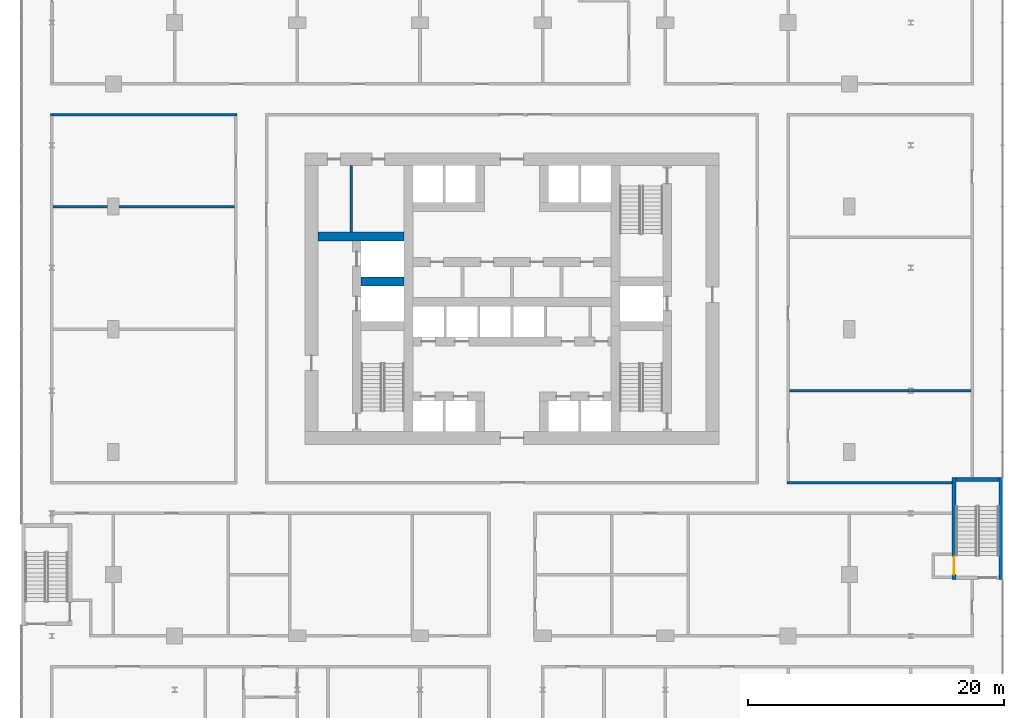
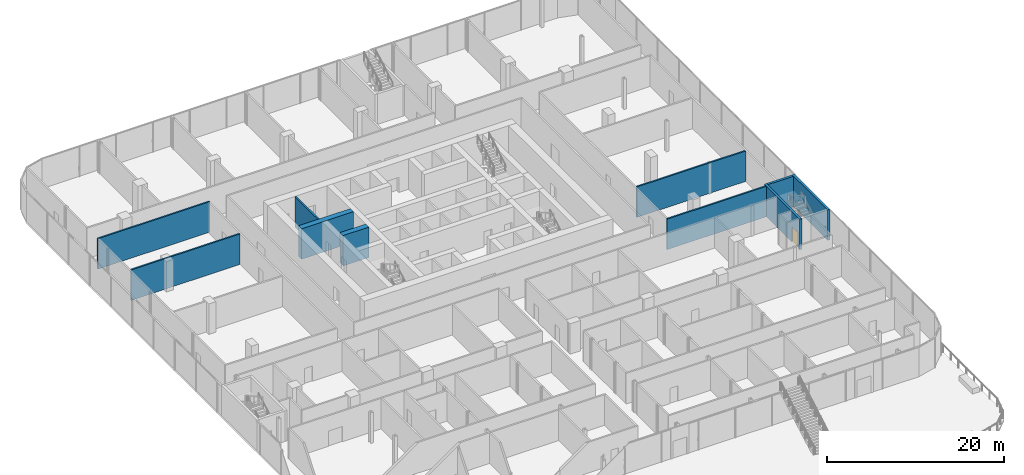
# One storey, part 33 of 43: 10 walls, 1 door, 1 opening.
"""IFC4 building model written with IfcOpenShell, lengths in metres."""

from ifc_helpers import new_model, si_unit, direction, frame, frame_2d, origin, place, context, subcontext, project, spatial, rectangle, extrude, material, layer, layer_set, type_object, element, fill, save


model = new_model("IFC4")

# Units and contexts
model_context = context("Model", 3, precision=1e-05, world=origin(), true_north=direction((0.0, 1.0)))
body_context = subcontext(model_context, "Body", "Model", "MODEL_VIEW")
ifc_project = project(units=[si_unit("LENGTHUNIT", "METRE"), si_unit("AREAUNIT", "SQUARE_METRE"), si_unit("VOLUMEUNIT", "CUBIC_METRE"), si_unit("PLANEANGLEUNIT", "RADIAN"), si_unit("MASSUNIT", "GRAM", prefix="KILO")], contexts=[model_context])

# Site, building, storey
site_placement = place(None, origin())
site = spatial("IfcSite", under=ifc_project, at=site_placement, CompositionType="ELEMENT")
building_placement = place(site_placement, origin())
building = spatial("IfcBuilding", under=site, at=building_placement, Name="Madar Terraces", CompositionType="ELEMENT")
storey_placement = place(building_placement, frame((0.0, 0.0, 10.5)))
storey = spatial("IfcBuildingStorey", under=building, at=storey_placement, Name="L02", CompositionType="ELEMENT", Elevation=10.5)

# Walls
ifc_material_1 = material(Name="Concrete C80/95", Category="concrete")
ifc_layer_1 = layer(ifc_material_1, 0.699951171875)
ifc_layer_set_1 = layer_set([ifc_layer_1], Name="Concrete C80/95 (CIW1 RC wall 700)")
wall_type_1 = type_object("IfcWallType", Name="CIW1 RC wall 700", PredefinedType="SHEAR", material=ifc_layer_set_1)
wall_1_placement = place(storey_placement, frame((19.39990234375, 27.75, 0.0), z_axis=(0.0, 0.0, 1.0), x_axis=(1.0, 0.0, 0.0)))
element("IfcWall", 1, at=wall_1_placement, inside=storey, type_object=wall_type_1, Name="CORE SHAFT WALL", PredefinedType="SHEAR", context=body_context, shape_type="SweptSolid", body=[
    extrude(rectangle(XDim=3.35009765625, YDim=0.699951171875, at=frame_2d((1.675048828125, 0.0))), origin(), (0.0, 0.0, 1.0), 4.199951171875),
])
wall_2_placement = place(storey_placement, frame((16.0, 31.25, 0.0), z_axis=(0.0, 0.0, 1.0), x_axis=(1.0, 0.0, 0.0)))
element("IfcWall", 2, at=wall_2_placement, inside=storey, type_object=wall_type_1, Name="CORE SHAFT WALL", PredefinedType="SHEAR", context=body_context, shape_type="SweptSolid", body=[
    extrude(rectangle(XDim=6.75, YDim=0.699951171875, at=frame_2d((3.375, 0.0))), origin(), (0.0, 0.0, 1.0), 4.199951171875),
])
ifc_material_2 = material(Name="Masonry blockwork", Category="masonry")
ifc_layer_2 = layer(ifc_material_2, 0.199951171875)
ifc_layer_set_2 = layer_set([ifc_layer_2], Name="Core partition 200 blockwork")
wall_type_2 = type_object("IfcWallType", Name="Core partition 200 blockwork", PredefinedType="PARTITIONING", material=ifc_layer_set_2)
wall_3_placement = place(storey_placement, frame((18.632568359375, 31.60009765625, 0.0), z_axis=(0.0, 0.0, 1.0), x_axis=(0.0, 1.0, 0.0)))
element("IfcWall", 3, at=wall_3_placement, inside=storey, type_object=wall_type_2, Name="SERVICE ROOM PARTITION", PredefinedType="PARTITIONING", context=body_context, shape_type="SweptSolid", body=[
    extrude(rectangle(XDim=5.199951171875, YDim=0.199951171875, at=frame_2d((2.60009765625, 0.0))), origin(), (0.0, 0.0, 1.0), 4.199951171875),
])
ifc_material_3 = material(Name="Gypsum board partition, fire-rated")
ifc_layer_3 = layer(ifc_material_3, 0.199951171875)
ifc_layer_set_3 = layer_set([ifc_layer_3], Name="Partition 200 EI 60")
wall_type_3 = type_object("IfcWallType", Name="Partition 200 EI 60", PredefinedType="PARTITIONING", material=ifc_layer_set_3)
wall_4_placement = place(storey_placement, frame((52.699951171875, 12.0, 0.0), z_axis=(0.0, 0.0, 1.0), x_axis=(1.0, 0.0, 0.0)))
element("IfcWall", 4, at=wall_4_placement, inside=storey, type_object=wall_type_3, Name="Wall STAFF ROOM / PODIUM CORRIDOR", PredefinedType="PARTITIONING", context=body_context, shape_type="SweptSolid", body=[
    extrude(rectangle(XDim=12.949951171875, YDim=0.199951171875, at=frame_2d((6.47509765625, 0.0))), origin(), (0.0, 0.0, 1.0), 4.199951171875),
])
wall_5_placement = place(storey_placement, frame((52.89990234375, 19.199951171875, 0.0), z_axis=(0.0, 0.0, 1.0), x_axis=(1.0, 0.0, 0.0)))
element("IfcWall", 5, at=wall_5_placement, inside=storey, type_object=wall_type_3, Name="Wall STAFF ROOM / OFFICE", PredefinedType="PARTITIONING", context=body_context, shape_type="SweptSolid", body=[
    extrude(rectangle(XDim=14.2001953125, YDim=0.199951171875, at=frame_2d((7.10009765625, 0.0))), origin(), (0.0, 0.0, 1.0), 4.199951171875),
])
wall_6_placement = place(storey_placement, frame((-4.699951171875, 33.60009765625, 0.0), z_axis=(0.0, 0.0, 1.0), x_axis=(1.0, 0.0, 0.0)))
element("IfcWall", 6, at=wall_6_placement, inside=storey, type_object=wall_type_3, Name="Wall TREATMENT ROOM / CONSULTING ROOM", PredefinedType="PARTITIONING", context=body_context, shape_type="SweptSolid", body=[
    extrude(rectangle(XDim=14.199951171875, YDim=0.199951171875, at=frame_2d((7.10009765625, 0.0))), origin(), (0.0, 0.0, 1.0), 4.199951171875),
])
wall_7_placement = place(storey_placement, frame((-4.89990234375, 40.800048828125, 0.0), z_axis=(0.0, 0.0, 1.0), x_axis=(1.0, 0.0, 0.0)))
element("IfcWall", 7, at=wall_7_placement, inside=storey, type_object=wall_type_3, Name="Wall CONSULTING ROOM / PODIUM CORRIDOR", PredefinedType="PARTITIONING", context=body_context, shape_type="SweptSolid", body=[
    extrude(rectangle(XDim=14.599853515625, YDim=0.199951171875, at=frame_2d((7.2998046875, 0.0))), origin(), (0.0, 0.0, 1.0), 4.199951171875),
])

# Wall, opening, door
ifc_material_4 = material(Name="Concrete C40/50", Category="concrete")
ifc_layer_4 = layer(ifc_material_4, 0.300048828125)
ifc_layer_set_4 = layer_set([ifc_layer_4], Name="Podium stair wall 300 C40/50")
wall_type_4 = type_object("IfcWallType", Name="Podium stair wall 300 C40/50", PredefinedType="SOLIDWALL", material=ifc_layer_set_4)
wall_8_placement = place(storey_placement, frame((65.800048828125, 4.39990234375, 0.0), z_axis=(0.0, 0.0, 1.0), x_axis=(0.0, 1.0, 0.0)))
wall_8 = element("IfcWall", 8, at=wall_8_placement, inside=storey, type_object=wall_type_4, Name="PODIUM STAIR WALL", PredefinedType="SOLIDWALL", context=body_context, shape_type="SweptSolid", body=[
    extrude(rectangle(XDim=8.0, YDim=0.300048828125, at=frame_2d((4.0, 0.0))), origin(), (0.0, 0.0, 1.0), 4.199951171875),
])
opening_placement = place(wall_8_placement, frame((0.39990234375, 0.0, 0.0)))
opening = element("IfcOpeningElement", 9, at=opening_placement, cuts=wall_8, Name="Opening PSD1", PredefinedType="OPENING", context=body_context, shape_type="SweptSolid", body=[
    extrude(rectangle(XDim=1.39990234375, YDim=2.10009765625, at=frame_2d((0.699951171875, 1.050048828125))), frame((0.0, 0.159912109375, 0.0), z_axis=(0.0, -1.0, 0.0), x_axis=(1.0, 0.0, 0.0)), (0.0, 0.0, 1.0), 0.320068359375),
])
ifc_material_5 = material(Name="Steel door leaf", Category="steel")
door_type = type_object("IfcDoorType", Name="Podium stair door pair 1400 x 2100", OperationType="DOUBLE_DOOR_SINGLE_SWING", PredefinedType="DOOR", material=ifc_material_5)
door_placement = place(opening_placement, frame((1.39990234375, 0.0, 0.0), z_axis=(0.0, 0.0, 1.0), x_axis=(-1.0, 0.0, 0.0)))
door = element("IfcDoor", 10, at=door_placement, inside=storey, type_object=door_type, Name="STAIR DOOR", OperationType="DOUBLE_DOOR_SINGLE_SWING", OverallHeight=2.10009765625, OverallWidth=1.39990234375, PredefinedType="DOOR", context=body_context, shape_type="SweptSolid", body=[
    extrude(rectangle(XDim=1.39990234375, YDim=2.10009765625, at=frame_2d((0.699951171875, 1.050048828125))), frame((0.0, 0.02490234375, 0.0), z_axis=(0.0, -1.0, 0.0), x_axis=(1.0, 0.0, 0.0)), (0.0, 0.0, 1.0), 0.050048828125),
])
fill(opening, door)

# Walls
wall_9_placement = place(storey_placement, frame((65.949951171875, 12.25, 0.0), z_axis=(0.0, 0.0, 1.0), x_axis=(1.0, 0.0, 0.0)))
element("IfcWall", 11, at=wall_9_placement, inside=storey, type_object=wall_type_4, Name="PODIUM STAIR WALL", PredefinedType="SOLIDWALL", context=body_context, shape_type="SweptSolid", body=[
    extrude(rectangle(XDim=3.35009765625, YDim=0.300048828125, at=frame_2d((1.675048828125, 0.0))), origin(), (0.0, 0.0, 1.0), 4.199951171875),
])
ifc_material_6 = material(Name="Concrete C40/50", Category="concrete")
ifc_layer_5 = layer(ifc_material_6, 0.300048828125)
ifc_layer_set_5 = layer_set([ifc_layer_5], Name="Podium stair wall 300 C40/50, external")
wall_type_5 = type_object("IfcWallType", Name="Podium stair wall 300 C40/50, external", PredefinedType="SOLIDWALL", material=ifc_layer_set_5)
wall_10_placement = place(storey_placement, frame((69.449951171875, 4.39990234375, 0.0), z_axis=(0.0, 0.0, 1.0), x_axis=(0.0, 1.0, 0.0)))
element("IfcWall", 12, at=wall_10_placement, inside=storey, type_object=wall_type_5, Name="PODIUM STAIR WALL", PredefinedType="SOLIDWALL", context=body_context, shape_type="SweptSolid", body=[
    extrude(rectangle(XDim=8.0, YDim=0.300048828125, at=frame_2d((4.0, 0.0))), origin(), (0.0, 0.0, 1.0), 4.199951171875),
])

save(model, "model.ifc")
